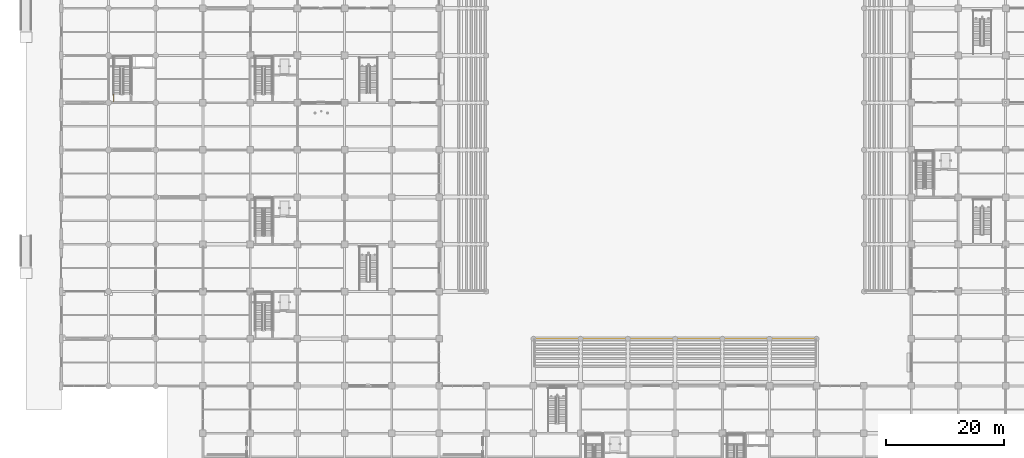
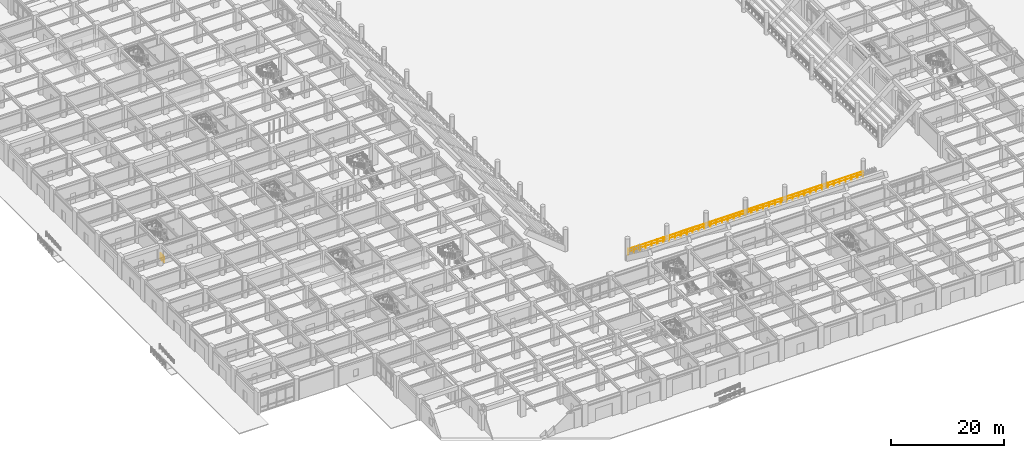
# One storey, part 107 of 125: 2 railings.
"""IFC4 building model written with IfcOpenShell, lengths in metres."""

from ifc_helpers import new_model, si_unit, direction, frame, origin, origin_2d, place, context, subcontext, project, spatial, circle, extrude, material, type_object, element, save


model = new_model("IFC4")

# Units and contexts
model_context = context("Model", 3, precision=1e-05, world=origin(), true_north=direction((0.0, 1.0)))
body_context = subcontext(model_context, "Body", "Model", "MODEL_VIEW")
ifc_project = project(units=[si_unit("LENGTHUNIT", "METRE"), si_unit("AREAUNIT", "SQUARE_METRE"), si_unit("VOLUMEUNIT", "CUBIC_METRE"), si_unit("PLANEANGLEUNIT", "RADIAN"), si_unit("MASSUNIT", "GRAM", prefix="KILO")], contexts=[model_context])

# Site, building, storey
site_placement = place(None, origin())
site = spatial("IfcSite", under=ifc_project, at=site_placement, CompositionType="ELEMENT")
building_placement = place(site_placement, origin())
building = spatial("IfcBuilding", under=site, at=building_placement, Name="Haebicheon Civic Stadium", CompositionType="ELEMENT")
storey_placement = place(building_placement, origin())
storey = spatial("IfcBuildingStorey", under=building, at=storey_placement, Name="L01", CompositionType="ELEMENT", Elevation=0.0)

# Railings
ifc_material_1 = material(Name="Stainless steel 316 and laminated glass", Category="steel")
railing_type_1 = type_object("IfcRailingType", Name="RL-BAL-1200", PredefinedType="BALUSTRADE", material=ifc_material_1)
railing_1_placement = place(storey_placement, frame((80.06005859375, 39.8798828125, 1.199951171875)))
element("IfcRailing", 1, at=railing_1_placement, inside=storey, type_object=railing_type_1, material=ifc_material_1, Name="TIER-S-L pitchside sightline balustrade", PredefinedType="BALUSTRADE", context=body_context, shape_type="SweptSolid", body=[
    extrude(circle(Radius=0.02392578125, at=origin_2d()), frame((0.0, 0.0, 1.17578125), z_axis=(1.0, 0.0, 0.0), x_axis=(0.0, 1.0, 0.0)), (0.0, 0.0, 1.0), 47.8798828125),
    extrude(circle(Radius=0.02392578125, at=origin_2d()), frame((0.0, 0.0, 0.60009765625), z_axis=(1.0, 0.0, 0.0), x_axis=(0.0, 1.0, 0.0)), (0.0, 0.0, 1.0), 47.8798828125),
    extrude(circle(Radius=0.02099609375, at=origin_2d()), origin(), (0.0, 0.0, 1.0), 1.15185546875),
    extrude(circle(Radius=0.02099609375, at=origin_2d()), frame((1.197021484375, 0.0, 0.0)), (0.0, 0.0, 1.0), 1.15185546875),
    extrude(circle(Radius=0.02099609375, at=origin_2d()), frame((2.39404296875, 0.0, 0.0)), (0.0, 0.0, 1.0), 1.15185546875),
    extrude(circle(Radius=0.02099609375, at=origin_2d()), frame((3.591064453125, 0.0, 0.0)), (0.0, 0.0, 1.0), 1.15185546875),
    extrude(circle(Radius=0.02099609375, at=origin_2d()), frame((4.7880859375, 0.0, 0.0)), (0.0, 0.0, 1.0), 1.15185546875),
    extrude(circle(Radius=0.02099609375, at=origin_2d()), frame((5.98486328125, 0.0, 0.0)), (0.0, 0.0, 1.0), 1.15185546875),
    extrude(circle(Radius=0.02099609375, at=origin_2d()), frame((7.181884765625, 0.0, 0.0)), (0.0, 0.0, 1.0), 1.15185546875),
    extrude(circle(Radius=0.02099609375, at=origin_2d()), frame((8.37890625, 0.0, 0.0)), (0.0, 0.0, 1.0), 1.15185546875),
    extrude(circle(Radius=0.02099609375, at=origin_2d()), frame((9.575927734375, 0.0, 0.0)), (0.0, 0.0, 1.0), 1.15185546875),
    extrude(circle(Radius=0.02099609375, at=origin_2d()), frame((10.77294921875, 0.0, 0.0)), (0.0, 0.0, 1.0), 1.15185546875),
    extrude(circle(Radius=0.02099609375, at=origin_2d()), frame((11.969970703125, 0.0, 0.0)), (0.0, 0.0, 1.0), 1.15185546875),
    extrude(circle(Radius=0.02099609375, at=origin_2d()), frame((13.1669921875, 0.0, 0.0)), (0.0, 0.0, 1.0), 1.15185546875),
    extrude(circle(Radius=0.02099609375, at=origin_2d()), frame((14.364013671875, 0.0, 0.0)), (0.0, 0.0, 1.0), 1.15185546875),
    extrude(circle(Radius=0.02099609375, at=origin_2d()), frame((15.56103515625, 0.0, 0.0)), (0.0, 0.0, 1.0), 1.15185546875),
    extrude(circle(Radius=0.02099609375, at=origin_2d()), frame((16.758056640625, 0.0, 0.0)), (0.0, 0.0, 1.0), 1.15185546875),
    extrude(circle(Radius=0.02099609375, at=origin_2d()), frame((17.955078125, 0.0, 0.0)), (0.0, 0.0, 1.0), 1.15185546875),
    extrude(circle(Radius=0.02099609375, at=origin_2d()), frame((19.15185546875, 0.0, 0.0)), (0.0, 0.0, 1.0), 1.15185546875),
    extrude(circle(Radius=0.02099609375, at=origin_2d()), frame((20.348876953125, 0.0, 0.0)), (0.0, 0.0, 1.0), 1.15185546875),
    extrude(circle(Radius=0.02099609375, at=origin_2d()), frame((21.5458984375, 0.0, 0.0)), (0.0, 0.0, 1.0), 1.15185546875),
    extrude(circle(Radius=0.02099609375, at=origin_2d()), frame((22.742919921875, 0.0, 0.0)), (0.0, 0.0, 1.0), 1.15185546875),
    extrude(circle(Radius=0.02099609375, at=origin_2d()), frame((23.93994140625, 0.0, 0.0)), (0.0, 0.0, 1.0), 1.15185546875),
    extrude(circle(Radius=0.02099609375, at=origin_2d()), frame((25.136962890625, 0.0, 0.0)), (0.0, 0.0, 1.0), 1.15185546875),
    extrude(circle(Radius=0.02099609375, at=origin_2d()), frame((26.333984375, 0.0, 0.0)), (0.0, 0.0, 1.0), 1.15185546875),
    extrude(circle(Radius=0.02099609375, at=origin_2d()), frame((27.531005859375, 0.0, 0.0)), (0.0, 0.0, 1.0), 1.15185546875),
    extrude(circle(Radius=0.02099609375, at=origin_2d()), frame((28.72802734375, 0.0, 0.0)), (0.0, 0.0, 1.0), 1.15185546875),
    extrude(circle(Radius=0.02099609375, at=origin_2d()), frame((29.9248046875, 0.0, 0.0)), (0.0, 0.0, 1.0), 1.15185546875),
    extrude(circle(Radius=0.02099609375, at=origin_2d()), frame((31.121826171875, 0.0, 0.0)), (0.0, 0.0, 1.0), 1.15185546875),
    extrude(circle(Radius=0.02099609375, at=origin_2d()), frame((32.31884765625, 0.0, 0.0)), (0.0, 0.0, 1.0), 1.15185546875),
    extrude(circle(Radius=0.02099609375, at=origin_2d()), frame((33.515869140625, 0.0, 0.0)), (0.0, 0.0, 1.0), 1.15185546875),
    extrude(circle(Radius=0.02099609375, at=origin_2d()), frame((34.712890625, 0.0, 0.0)), (0.0, 0.0, 1.0), 1.15185546875),
    extrude(circle(Radius=0.02099609375, at=origin_2d()), frame((35.909912109375, 0.0, 0.0)), (0.0, 0.0, 1.0), 1.15185546875),
    extrude(circle(Radius=0.02099609375, at=origin_2d()), frame((37.10693359375, 0.0, 0.0)), (0.0, 0.0, 1.0), 1.15185546875),
    extrude(circle(Radius=0.02099609375, at=origin_2d()), frame((38.303955078125, 0.0, 0.0)), (0.0, 0.0, 1.0), 1.15185546875),
    extrude(circle(Radius=0.02099609375, at=origin_2d()), frame((39.5009765625, 0.0, 0.0)), (0.0, 0.0, 1.0), 1.15185546875),
    extrude(circle(Radius=0.02099609375, at=origin_2d()), frame((40.697998046875, 0.0, 0.0)), (0.0, 0.0, 1.0), 1.15185546875),
    extrude(circle(Radius=0.02099609375, at=origin_2d()), frame((41.89501953125, 0.0, 0.0)), (0.0, 0.0, 1.0), 1.15185546875),
    extrude(circle(Radius=0.02099609375, at=origin_2d()), frame((43.091796875, 0.0, 0.0)), (0.0, 0.0, 1.0), 1.15185546875),
    extrude(circle(Radius=0.02099609375, at=origin_2d()), frame((44.288818359375, 0.0, 0.0)), (0.0, 0.0, 1.0), 1.15185546875),
    extrude(circle(Radius=0.02099609375, at=origin_2d()), frame((45.48583984375, 0.0, 0.0)), (0.0, 0.0, 1.0), 1.15185546875),
    extrude(circle(Radius=0.02099609375, at=origin_2d()), frame((46.682861328125, 0.0, 0.0)), (0.0, 0.0, 1.0), 1.15185546875),
    extrude(circle(Radius=0.02099609375, at=origin_2d()), frame((47.8798828125, 0.0, 0.0)), (0.0, 0.0, 1.0), 1.15185546875),
])
ifc_material_2 = material(Name="Galvanised painted steel SM355", Category="steel")
railing_type_2 = type_object("IfcRailingType", Name="RL-GRD-1150", PredefinedType="GUARDRAIL", material=ifc_material_2)
railing_2_placement = place(storey_placement, frame((8.889892578125, 80.159912109375, 0.0)))
element("IfcRailing", 2, at=railing_2_placement, inside=storey, type_object=railing_type_2, material=ifc_material_2, Name="L01 ST-15 stair guard 9", PredefinedType="GUARDRAIL", context=body_context, shape_type="SweptSolid", body=[
    extrude(circle(Radius=0.02392578125, at=origin_2d()), frame((0.0, 0.0, 1.1259765625), z_axis=(0.0, 1.0, 0.0), x_axis=(-1.0, 0.0, 0.0)), (0.0, 0.0, 1.0), 1.2900390625),
    extrude(circle(Radius=0.02392578125, at=origin_2d()), frame((0.0, 0.0, 0.574951171875), z_axis=(0.0, 1.0, 0.0), x_axis=(-1.0, 0.0, 0.0)), (0.0, 0.0, 1.0), 1.2900390625),
    extrude(circle(Radius=0.02099609375, at=origin_2d()), origin(), (0.0, 0.0, 1.0), 1.101806640625),
    extrude(circle(Radius=0.02099609375, at=origin_2d()), frame((0.0, 0.64501953125, 0.0)), (0.0, 0.0, 1.0), 1.101806640625),
    extrude(circle(Radius=0.02099609375, at=origin_2d()), frame((0.0, 1.2900390625, 0.0)), (0.0, 0.0, 1.0), 1.101806640625),
])

save(model, "model.ifc")
